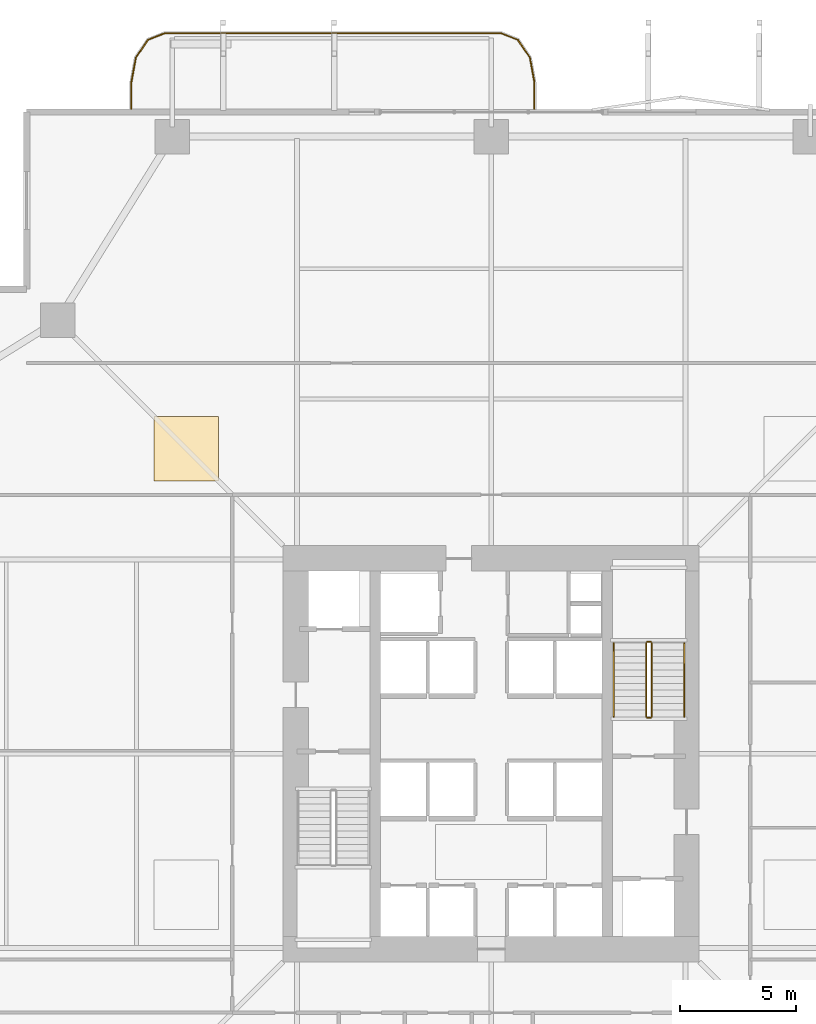
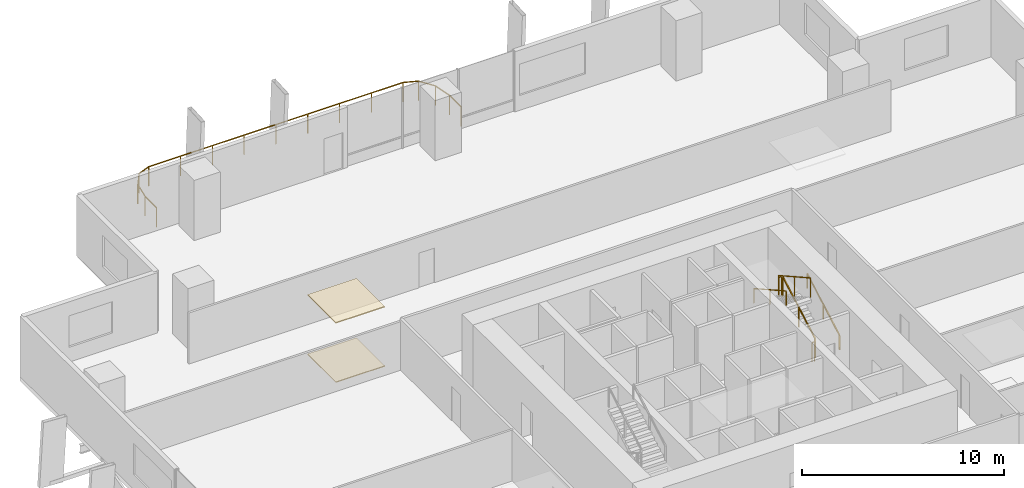
# One storey, part 23 of 24: 7 railings, 2 coverings.
"""IFC4 building model written with IfcOpenShell, lengths in metres."""

from ifc_helpers import new_model, si_unit, direction, frame, origin, origin_2d, place, context, subcontext, project, spatial, polyline, rectangle, outline, extrude, material, layer, layer_set, type_object, element, save


model = new_model("IFC4")

# Units and contexts
model_context = context("Model", 3, precision=1e-05, world=origin(), true_north=direction((0.0, 1.0)))
body_context = subcontext(model_context, "Body", "Model", "MODEL_VIEW")
ifc_project = project(units=[si_unit("LENGTHUNIT", "METRE"), si_unit("AREAUNIT", "SQUARE_METRE"), si_unit("VOLUMEUNIT", "CUBIC_METRE"), si_unit("PLANEANGLEUNIT", "RADIAN"), si_unit("MASSUNIT", "GRAM", prefix="KILO")], contexts=[model_context])

# Site, building, storey
site_placement = place(None, origin())
site = spatial("IfcSite", under=ifc_project, at=site_placement, CompositionType="ELEMENT")
building_placement = place(site_placement, origin())
building = spatial("IfcBuilding", under=site, at=building_placement, Name="Belovzor Exchange Tower", CompositionType="ELEMENT")
storey_placement = place(building_placement, frame((0.0, 0.0, 37.800048828125)))
storey = spatial("IfcBuildingStorey", under=building, at=storey_placement, Name="L08", CompositionType="ELEMENT", Elevation=37.800048828125)

# Railings
ifc_material_1 = material(Name="Stainless Steel Grade 304", Category="steel")
railing_type_1 = type_object("IfcRailingType", Name="Brushed Stainless Steel Stair Handrail 900", PredefinedType="HANDRAIL", material=ifc_material_1)
railing_1_placement = place(storey_placement, frame((37.14990234375, 30.39990234375, 0.162353515625)))
element("IfcRailing", 1, at=railing_1_placement, inside=storey, type_object=railing_type_1, Name="L08 ST-2 stair handrail 1", PredefinedType="HANDRAIL", context=body_context, shape_type="SweptSolid", body=[
    extrude(rectangle(XDim=0.048095703125, YDim=0.048095703125, at=origin_2d()), frame((0.0, 0.0, 0.8759765625), z_axis=(0.0, 0.87237847985, 0.488831042279), x_axis=(-1.0, 0.0, 0.0)), (0.0, 0.0, 1.0), 3.656982421875),
    extrude(rectangle(XDim=0.0419921875, YDim=0.0419921875, at=origin_2d()), origin(), (0.0, 0.0, 1.0), 0.851806640625),
    extrude(rectangle(XDim=0.0419921875, YDim=0.0419921875, at=origin_2d()), frame((0.0, 1.59521484375, 0.893798828125)), (0.0, 0.0, 1.0), 0.851806640625),
    extrude(rectangle(XDim=0.0419921875, YDim=0.0419921875, at=origin_2d()), frame((0.0, 3.190185546875, 1.78759765625)), (0.0, 0.0, 1.0), 0.851806640625),
])
railing_2_placement = place(storey_placement, frame((34.10009765625, 33.590087890625, 2.112548828125)))
element("IfcRailing", 2, at=railing_2_placement, inside=storey, type_object=railing_type_1, Name="L08 ST-2 stair handrail 2", PredefinedType="HANDRAIL", context=body_context, shape_type="SweptSolid", body=[
    extrude(rectangle(XDim=0.048095703125, YDim=0.048095703125, at=origin_2d()), frame((0.0, 0.0, 0.8759765625), z_axis=(0.0, -0.872406949647, 0.488780230991), x_axis=(1.0, 0.0, 0.0)), (0.0, 0.0, 1.0), 3.65673828125),
    extrude(rectangle(XDim=0.0419921875, YDim=0.0419921875, at=origin_2d()), origin(), (0.0, 0.0, 1.0), 0.851806640625),
    extrude(rectangle(XDim=0.0419921875, YDim=0.0419921875, at=origin_2d()), frame((0.0, -1.59521484375, 0.8935546875)), (0.0, 0.0, 1.0), 0.851806640625),
    extrude(rectangle(XDim=0.0419921875, YDim=0.0419921875, at=origin_2d()), frame((0.0, -3.190185546875, 1.787353515625)), (0.0, 0.0, 1.0), 0.851806640625),
])
ifc_material_2 = material(Name="Stainless Steel and Laminated Safety Glass", Category="steel")
railing_type_2 = type_object("IfcRailingType", Name="Laminated Glass & Stainless Steel Balcony Balustrade 1200", PredefinedType="BALUSTRADE", material=ifc_material_2)
railing_3_placement = place(storey_placement, frame((30.669921875, 56.7099609375, 0.0)))
element("IfcRailing", 3, at=railing_3_placement, inside=storey, type_object=railing_type_2, Name="GR-1 Balcony Balustrade L08 North", PredefinedType="BALUSTRADE", context=body_context, shape_type="SweptSolid", body=[
    extrude(rectangle(XDim=0.048095703125, YDim=0.048095703125, at=origin_2d()), frame((0.0, 0.0, 1.17578125), z_axis=(0.0, 1.0, 0.0), x_axis=(-1.0, 0.0, 0.0)), (0.0, 0.0, 1.0), 1.133056640625),
    extrude(rectangle(XDim=0.048095703125, YDim=0.048095703125, at=origin_2d()), frame((0.0, 1.133056640625, 1.17578125), z_axis=(-0.180122719713, 0.983644145941, 0.0), x_axis=(-0.983644145941, -0.180122719713, 0.0)), (0.0, 0.0, 1.0), 1.09375),
    extrude(rectangle(XDim=0.048095703125, YDim=0.048095703125, at=origin_2d()), frame((-0.197021484375, 2.208984375, 1.17578125), z_axis=(-0.562768145367, 0.826614792125, 0.0), x_axis=(-0.826614792125, -0.562768145367, 0.0)), (0.0, 0.0, 1.0), 0.9326171875),
    extrude(rectangle(XDim=0.048095703125, YDim=0.048095703125, at=origin_2d()), frame((-0.721923828125, 2.97998046875, 1.17578125), z_axis=(-0.930766990125, 0.365612923861, 0.0), x_axis=(-0.365612923861, -0.930766990125, 0.0)), (0.0, 0.0, 1.0), 0.765869140625),
    extrude(rectangle(XDim=0.048095703125, YDim=0.048095703125, at=origin_2d()), frame((-1.434814453125, 3.260009765625, 1.17578125), z_axis=(-1.0, 0.0, 0.0), x_axis=(0.0, -1.0, 0.0)), (0.0, 0.0, 1.0), 14.570068359375),
    extrude(rectangle(XDim=0.048095703125, YDim=0.048095703125, at=origin_2d()), frame((-16.0048828125, 3.260009765625, 1.17578125), z_axis=(-0.930809580156, -0.365504480807, 0.0), x_axis=(0.365504480807, -0.930809580156, 0.0)), (0.0, 0.0, 1.0), 0.76611328125),
    extrude(rectangle(XDim=0.048095703125, YDim=0.048095703125, at=origin_2d()), frame((-16.718017578125, 2.97998046875, 1.17578125), z_axis=(-0.562768145367, -0.826614792125, 0.0), x_axis=(0.826614792125, -0.562768145367, 0.0)), (0.0, 0.0, 1.0), 0.9326171875),
    extrude(rectangle(XDim=0.048095703125, YDim=0.048095703125, at=origin_2d()), frame((-17.242919921875, 2.208984375, 1.17578125), z_axis=(-0.180122719713, -0.983644145941, 0.0), x_axis=(0.983644145941, -0.180122719713, 0.0)), (0.0, 0.0, 1.0), 1.09375),
    extrude(rectangle(XDim=0.048095703125, YDim=0.048095703125, at=origin_2d()), frame((-17.43994140625, 1.133056640625, 1.17578125), z_axis=(0.0, -1.0, 0.0), x_axis=(1.0, 0.0, 0.0)), (0.0, 0.0, 1.0), 1.133056640625),
    extrude(rectangle(XDim=0.0419921875, YDim=0.0419921875, at=origin_2d()), origin(), (0.0, 0.0, 1.0), 1.15185546875),
    extrude(rectangle(XDim=0.0419921875, YDim=0.0419921875, at=origin_2d()), frame((0.0, 1.133056640625, 0.0)), (0.0, 0.0, 1.0), 1.15185546875),
    extrude(rectangle(XDim=0.0419921875, YDim=0.0419921875, at=origin_2d()), frame((-0.197021484375, 2.208984375, 0.0)), (0.0, 0.0, 1.0), 1.15185546875),
    extrude(rectangle(XDim=0.0419921875, YDim=0.0419921875, at=origin_2d()), frame((-0.721923828125, 2.97998046875, 0.0)), (0.0, 0.0, 1.0), 1.15185546875),
    extrude(rectangle(XDim=0.0419921875, YDim=0.0419921875, at=origin_2d()), frame((-1.434814453125, 3.260009765625, 0.0)), (0.0, 0.0, 1.0), 1.15185546875),
    extrude(rectangle(XDim=0.0419921875, YDim=0.0419921875, at=origin_2d()), frame((-3.256103515625, 3.260009765625, 0.0)), (0.0, 0.0, 1.0), 1.15185546875),
    extrude(rectangle(XDim=0.0419921875, YDim=0.0419921875, at=origin_2d()), frame((-5.077392578125, 3.260009765625, 0.0)), (0.0, 0.0, 1.0), 1.15185546875),
    extrude(rectangle(XDim=0.0419921875, YDim=0.0419921875, at=origin_2d()), frame((-6.898681640625, 3.260009765625, 0.0)), (0.0, 0.0, 1.0), 1.15185546875),
    extrude(rectangle(XDim=0.0419921875, YDim=0.0419921875, at=origin_2d()), frame((-8.7197265625, 3.260009765625, 0.0)), (0.0, 0.0, 1.0), 1.15185546875),
    extrude(rectangle(XDim=0.0419921875, YDim=0.0419921875, at=origin_2d()), frame((-10.541015625, 3.260009765625, 0.0)), (0.0, 0.0, 1.0), 1.15185546875),
    extrude(rectangle(XDim=0.0419921875, YDim=0.0419921875, at=origin_2d()), frame((-12.3623046875, 3.260009765625, 0.0)), (0.0, 0.0, 1.0), 1.15185546875),
    extrude(rectangle(XDim=0.0419921875, YDim=0.0419921875, at=origin_2d()), frame((-14.18359375, 3.260009765625, 0.0)), (0.0, 0.0, 1.0), 1.15185546875),
    extrude(rectangle(XDim=0.0419921875, YDim=0.0419921875, at=origin_2d()), frame((-16.0048828125, 3.260009765625, 0.0)), (0.0, 0.0, 1.0), 1.15185546875),
    extrude(rectangle(XDim=0.0419921875, YDim=0.0419921875, at=origin_2d()), frame((-16.718017578125, 2.97998046875, 0.0)), (0.0, 0.0, 1.0), 1.15185546875),
    extrude(rectangle(XDim=0.0419921875, YDim=0.0419921875, at=origin_2d()), frame((-17.242919921875, 2.208984375, 0.0)), (0.0, 0.0, 1.0), 1.15185546875),
    extrude(rectangle(XDim=0.0419921875, YDim=0.0419921875, at=origin_2d()), frame((-17.43994140625, 1.133056640625, 0.0)), (0.0, 0.0, 1.0), 1.15185546875),
    extrude(rectangle(XDim=0.0419921875, YDim=0.0419921875, at=origin_2d()), frame((-17.43994140625, 0.0, 0.0)), (0.0, 0.0, 1.0), 1.15185546875),
])
ifc_material_3 = material(Name="Steel S355", Category="steel")
railing_type_3 = type_object("IfcRailingType", Name="Painted Steel Stairwell Guardrail 1200", PredefinedType="GUARDRAIL", material=ifc_material_3)
railing_4_placement = place(storey_placement, frame((35.75, 30.39990234375, 0.162353515625)))
element("IfcRailing", 4, at=railing_4_placement, inside=storey, type_object=railing_type_3, Name="L08 ST-2 stair guard 1", PredefinedType="GUARDRAIL", context=body_context, shape_type="SweptSolid", body=[
    extrude(rectangle(XDim=0.048095703125, YDim=0.048095703125, at=origin_2d()), frame((0.0, 0.0, 1.17578125), z_axis=(0.0, 0.87237847985, 0.488831042279), x_axis=(-1.0, 0.0, 0.0)), (0.0, 0.0, 1.0), 3.656982421875),
    extrude(rectangle(XDim=0.0419921875, YDim=0.0419921875, at=origin_2d()), origin(), (0.0, 0.0, 1.0), 1.15185546875),
    extrude(rectangle(XDim=0.0419921875, YDim=0.0419921875, at=origin_2d()), frame((0.0, 1.59521484375, 0.893798828125)), (0.0, 0.0, 1.0), 1.15185546875),
    extrude(rectangle(XDim=0.0419921875, YDim=0.0419921875, at=origin_2d()), frame((0.0, 3.190185546875, 1.78759765625)), (0.0, 0.0, 1.0), 1.15185546875),
])
railing_5_placement = place(storey_placement, frame((35.699951171875, 33.639892578125, 1.949951171875)))
element("IfcRailing", 5, at=railing_5_placement, inside=storey, type_object=railing_type_3, Name="L08 ST-2 stair guard 2", PredefinedType="GUARDRAIL", context=body_context, shape_type="SweptSolid", body=[
    extrude(rectangle(XDim=0.048095703125, YDim=0.048095703125, at=origin_2d()), frame((0.0, 0.0, 1.17578125), z_axis=(-1.0, 0.0, 0.0), x_axis=(0.0, -1.0, 0.0)), (0.0, 0.0, 1.0), 0.14990234375),
    extrude(rectangle(XDim=0.0419921875, YDim=0.0419921875, at=origin_2d()), origin(), (0.0, 0.0, 1.0), 1.15185546875),
    extrude(rectangle(XDim=0.0419921875, YDim=0.0419921875, at=origin_2d()), frame((-0.14990234375, 0.0, 0.0)), (0.0, 0.0, 1.0), 1.15185546875),
])
railing_6_placement = place(storey_placement, frame((35.5, 33.590087890625, 2.112548828125)))
element("IfcRailing", 6, at=railing_6_placement, inside=storey, type_object=railing_type_3, Name="L08 ST-2 stair guard 3", PredefinedType="GUARDRAIL", context=body_context, shape_type="SweptSolid", body=[
    extrude(rectangle(XDim=0.048095703125, YDim=0.048095703125, at=origin_2d()), frame((0.0, 0.0, 1.17578125), z_axis=(0.0, -0.872406949647, 0.488780230991), x_axis=(1.0, 0.0, 0.0)), (0.0, 0.0, 1.0), 3.65673828125),
    extrude(rectangle(XDim=0.0419921875, YDim=0.0419921875, at=origin_2d()), origin(), (0.0, 0.0, 1.0), 1.15185546875),
    extrude(rectangle(XDim=0.0419921875, YDim=0.0419921875, at=origin_2d()), frame((0.0, -1.59521484375, 0.8935546875)), (0.0, 0.0, 1.0), 1.15185546875),
    extrude(rectangle(XDim=0.0419921875, YDim=0.0419921875, at=origin_2d()), frame((0.0, -3.190185546875, 1.787353515625)), (0.0, 0.0, 1.0), 1.15185546875),
])
railing_7_placement = place(storey_placement, frame((35.699951171875, 30.35009765625, 0.0)))
element("IfcRailing", 7, at=railing_7_placement, inside=storey, type_object=railing_type_3, Name="L08 ST-2 stair guard 4", PredefinedType="GUARDRAIL", context=body_context, shape_type="SweptSolid", body=[
    extrude(rectangle(XDim=0.048095703125, YDim=0.048095703125, at=origin_2d()), frame((0.0, 0.0, 1.17578125), z_axis=(-1.0, 0.0, 0.0), x_axis=(0.0, -1.0, 0.0)), (0.0, 0.0, 1.0), 0.14990234375),
    extrude(rectangle(XDim=0.0419921875, YDim=0.0419921875, at=origin_2d()), origin(), (0.0, 0.0, 1.0), 1.15185546875),
    extrude(rectangle(XDim=0.0419921875, YDim=0.0419921875, at=origin_2d()), frame((-0.14990234375, 0.0, 0.0)), (0.0, 0.0, 1.0), 1.15185546875),
])

# Coverings
ifc_material_4 = material(Name="Perforated Powder-Coated Aluminium", Category="aluminium")
ifc_layer_1 = layer(ifc_material_4, 0.06005859375)
ifc_layer_set_1 = layer_set([ifc_layer_1], Name="Perforated Powder-Coated Aluminium")
covering_type_1 = type_object("IfcCoveringType", Name="Perforated Acoustic Metal Tile Suspended Ceiling 60", PredefinedType="CEILING", material=ifc_layer_set_1)
covering_1_placement = place(storey_placement, frame((0.0, 0.0, 3.58984375)))
element("IfcCovering", 8, at=covering_1_placement, inside=storey, type_object=covering_type_1, Name="CLG-AC60 Suspended Ceiling CLG-L08-Z2", PredefinedType="CEILING", context=body_context, shape_type="SweptSolid", body=[
    extrude(outline(polyline([(14.199951171875, 40.60009765625), (17.0, 40.60009765625), (17.0, 43.39990234375), (14.199951171875, 43.39990234375), (14.199951171875, 40.60009765625)])), origin(), (0.0, 0.0, 1.0), 0.06005859375),
])
ifc_material_5 = material(Name="Polished Natural Granite Tile", Category="masonry")
ifc_layer_2 = layer(ifc_material_5, 0.050048828125)
ifc_layer_set_2 = layer_set([ifc_layer_2], Name="Polished Natural Granite Tile")
covering_type_2 = type_object("IfcCoveringType", Name="Polished Karelian Granite & Raised Access Floor Finish 50", PredefinedType="FLOORING", material=ifc_layer_set_2)
covering_2_placement = place(storey_placement, origin())
element("IfcCovering", 9, at=covering_2_placement, inside=storey, type_object=covering_type_2, Name="FLR-GR50 Floor Finish FLR-L08-Z2", PredefinedType="FLOORING", context=body_context, shape_type="SweptSolid", body=[
    extrude(outline(polyline([(14.199951171875, 40.60009765625), (17.0, 40.60009765625), (17.0, 43.39990234375), (14.199951171875, 43.39990234375), (14.199951171875, 40.60009765625)])), origin(), (0.0, 0.0, 1.0), 0.050048828125),
])

save(model, "model.ifc")
